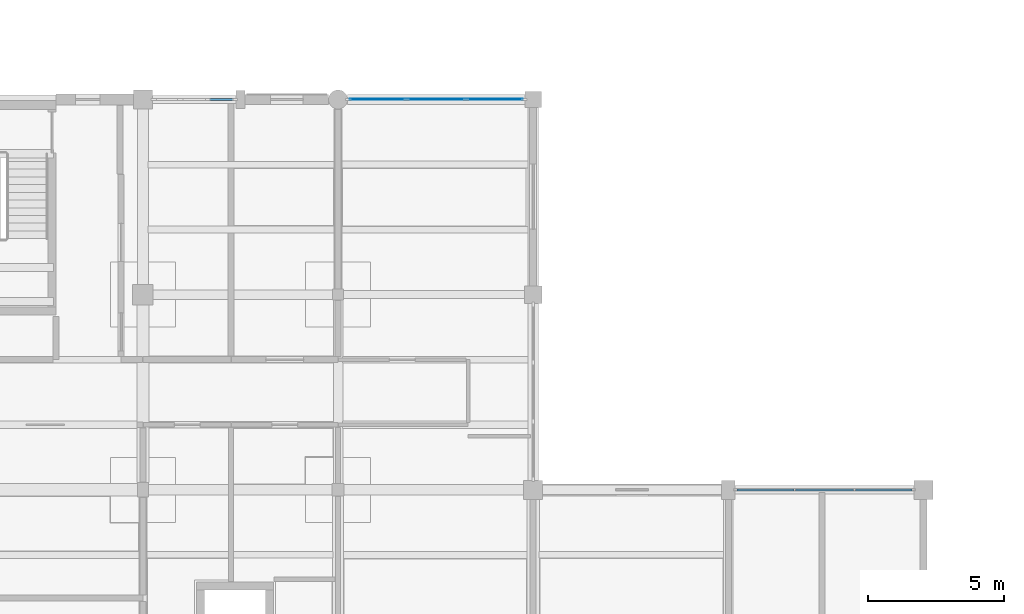
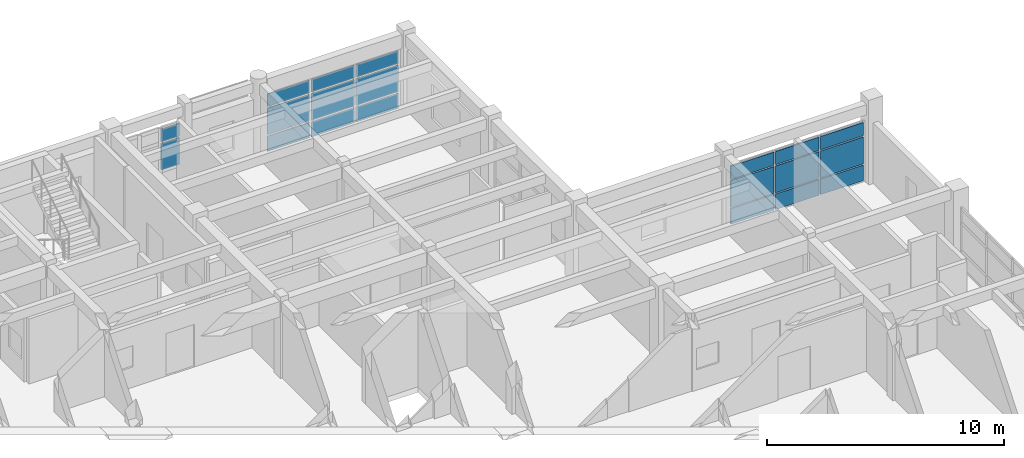
# One storey, part 71 of 110: 20 plates, 3 elements without a shape of their own.
"""IFC4 building model written with IfcOpenShell, lengths in metres."""

from ifc_helpers import new_model, si_unit, direction, frame, origin, origin_2d, place, context, subcontext, project, spatial, rectangle, extrude, material, layer, layer_set, type_object, element, aggregate, save


model = new_model("IFC4")

# Units and contexts
model_context = context("Model", 3, precision=1e-05, world=origin(), true_north=direction((0.0, 1.0)))
body_context = subcontext(model_context, "Body", "Model", "MODEL_VIEW")
ifc_project = project(units=[si_unit("LENGTHUNIT", "METRE"), si_unit("AREAUNIT", "SQUARE_METRE"), si_unit("VOLUMEUNIT", "CUBIC_METRE"), si_unit("PLANEANGLEUNIT", "RADIAN"), si_unit("MASSUNIT", "GRAM", prefix="KILO")], contexts=[model_context])

# Site, building, storey
site_placement = place(None, origin())
site = spatial("IfcSite", under=ifc_project, at=site_placement, CompositionType="ELEMENT")
building_placement = place(site_placement, origin())
building = spatial("IfcBuilding", under=site, at=building_placement, Name="Steenspoor Specialist Clinic", CompositionType="ELEMENT")
storey_placement = place(building_placement, frame((0.0, 0.0, 4.800048828125)))
storey = spatial("IfcBuildingStorey", under=building, at=storey_placement, Name="L01", CompositionType="ELEMENT", Elevation=4.800048828125)

# Curtain wall, plates
ifc_material_1 = material(Name="Thermally broken aluminium and low-emissivity glass", Category="aluminium")
curtain_wall_type_1 = type_object("IfcCurtainWallType", Name="CW-TYP-480X355", PredefinedType="USERDEFINED", material=ifc_material_1)
curtain_wall_1_placement = place(storey_placement, origin())
curtain_wall_1 = element("IfcCurtainWall", 1, at=curtain_wall_1_placement, inside=storey, type_object=curtain_wall_type_1, Name="Unitised Curtain Wall CW-V6-L01-180", ObjectType="UNITISED GLAZING", PredefinedType="USERDEFINED")
ifc_material_2 = material(Name="Double low-emissivity insulated glass", Category="glass")
ifc_layer_1 = layer(ifc_material_2, 0.035888671875)
ifc_layer_set_1 = layer_set([ifc_layer_1], Name="Double low-emissivity insulated glass")
plate_type_1 = type_object("IfcPlateType", Name="CW-PAN-GL36", PredefinedType="CURTAIN_PANEL", material=ifc_layer_set_1)
plate_1_placement = place(storey_placement, frame((141.061767578125, 108.35009765625, 0.080078125), z_axis=(0.0, 0.0, 1.0), x_axis=(1.0, 0.0, 0.0)))
plate_1 = element("IfcPlate", 2, at=plate_1_placement, type_object=plate_type_1, Name="CW-12 panel 1.1", PredefinedType="CURTAIN_PANEL", context=body_context, shape_type="SweptSolid", body=[
    extrude(rectangle(XDim=2.063232421875, YDim=0.035888671875, at=origin_2d()), origin(), (0.0, 0.0, 1.0), 0.780029296875),
])
plate_2_placement = place(storey_placement, frame((141.061767578125, 108.35009765625, 0.93994140625), z_axis=(0.0, 0.0, 1.0), x_axis=(1.0, 0.0, 0.0)))
plate_2 = element("IfcPlate", 3, at=plate_2_placement, type_object=plate_type_1, Name="CW-12 panel 1.2", PredefinedType="CURTAIN_PANEL", context=body_context, shape_type="SweptSolid", body=[
    extrude(rectangle(XDim=2.063232421875, YDim=0.035888671875, at=origin_2d()), origin(), (0.0, 0.0, 1.0), 1.3701171875),
])
plate_3_placement = place(storey_placement, frame((141.061767578125, 108.35009765625, 2.39013671875), z_axis=(0.0, 0.0, 1.0), x_axis=(1.0, 0.0, 0.0)))
plate_3 = element("IfcPlate", 4, at=plate_3_placement, type_object=plate_type_1, Name="CW-12 panel 1.3", PredefinedType="CURTAIN_PANEL", context=body_context, shape_type="SweptSolid", body=[
    extrude(rectangle(XDim=2.063232421875, YDim=0.035888671875, at=origin_2d()), origin(), (0.0, 0.0, 1.0), 0.659912109375),
])
plate_4_placement = place(storey_placement, frame((143.22509765625, 108.35009765625, 0.080078125), z_axis=(0.0, 0.0, 1.0), x_axis=(1.0, 0.0, 0.0)))
plate_4 = element("IfcPlate", 5, at=plate_4_placement, type_object=plate_type_1, Name="CW-12 panel 2.1", PredefinedType="CURTAIN_PANEL", context=body_context, shape_type="SweptSolid", body=[
    extrude(rectangle(XDim=2.103271484375, YDim=0.035888671875, at=origin_2d()), origin(), (0.0, 0.0, 1.0), 0.780029296875),
])
plate_5_placement = place(storey_placement, frame((143.22509765625, 108.35009765625, 0.93994140625), z_axis=(0.0, 0.0, 1.0), x_axis=(1.0, 0.0, 0.0)))
plate_5 = element("IfcPlate", 6, at=plate_5_placement, type_object=plate_type_1, Name="CW-12 panel 2.2", PredefinedType="CURTAIN_PANEL", context=body_context, shape_type="SweptSolid", body=[
    extrude(rectangle(XDim=2.103271484375, YDim=0.035888671875, at=origin_2d()), origin(), (0.0, 0.0, 1.0), 1.3701171875),
])
plate_6_placement = place(storey_placement, frame((143.22509765625, 108.35009765625, 2.39013671875), z_axis=(0.0, 0.0, 1.0), x_axis=(1.0, 0.0, 0.0)))
plate_6 = element("IfcPlate", 7, at=plate_6_placement, type_object=plate_type_1, Name="CW-12 panel 2.3", PredefinedType="CURTAIN_PANEL", context=body_context, shape_type="SweptSolid", body=[
    extrude(rectangle(XDim=2.103271484375, YDim=0.035888671875, at=origin_2d()), origin(), (0.0, 0.0, 1.0), 0.659912109375),
])
plate_7_placement = place(storey_placement, frame((145.388427734375, 108.35009765625, 0.080078125), z_axis=(0.0, 0.0, 1.0), x_axis=(1.0, 0.0, 0.0)))
plate_7 = element("IfcPlate", 8, at=plate_7_placement, type_object=plate_type_1, Name="CW-12 panel 3.1", PredefinedType="CURTAIN_PANEL", context=body_context, shape_type="SweptSolid", body=[
    extrude(rectangle(XDim=2.063232421875, YDim=0.035888671875, at=origin_2d()), origin(), (0.0, 0.0, 1.0), 0.780029296875),
])
plate_8_placement = place(storey_placement, frame((145.388427734375, 108.35009765625, 0.93994140625), z_axis=(0.0, 0.0, 1.0), x_axis=(1.0, 0.0, 0.0)))
plate_8 = element("IfcPlate", 9, at=plate_8_placement, type_object=plate_type_1, Name="CW-12 panel 3.2", PredefinedType="CURTAIN_PANEL", context=body_context, shape_type="SweptSolid", body=[
    extrude(rectangle(XDim=2.063232421875, YDim=0.035888671875, at=origin_2d()), origin(), (0.0, 0.0, 1.0), 1.3701171875),
])
plate_9_placement = place(storey_placement, frame((145.388427734375, 108.35009765625, 2.39013671875), z_axis=(0.0, 0.0, 1.0), x_axis=(1.0, 0.0, 0.0)))
plate_9 = element("IfcPlate", 10, at=plate_9_placement, type_object=plate_type_1, Name="CW-12 panel 3.3", PredefinedType="CURTAIN_PANEL", context=body_context, shape_type="SweptSolid", body=[
    extrude(rectangle(XDim=2.063232421875, YDim=0.035888671875, at=origin_2d()), origin(), (0.0, 0.0, 1.0), 0.659912109375),
])
aggregate(curtain_wall_1, [plate_1, plate_2, plate_3, plate_4, plate_5, plate_6, plate_7, plate_8, plate_9])

curtain_wall_type_2 = type_object("IfcCurtainWallType", Name="CW-TYP-540X355", PredefinedType="USERDEFINED", material=ifc_material_1)
curtain_wall_2_placement = place(storey_placement, origin())
curtain_wall_2 = element("IfcCurtainWall", 11, at=curtain_wall_2_placement, inside=storey, type_object=curtain_wall_type_2, Name="Unitised Curtain Wall CW-V6-L01-179", ObjectType="UNITISED GLAZING", PredefinedType="USERDEFINED")
ifc_material_3 = material(Name="Insulated glazed ceramic spandrel panel", Category="glass")
ifc_layer_2 = layer(ifc_material_3, 0.074951171875)
ifc_layer_set_2 = layer_set([ifc_layer_2], Name="Insulated glazed ceramic spandrel panel")
plate_type_2 = type_object("IfcPlateType", Name="CW-PAN-SP75", PredefinedType="CURTAIN_PANEL", material=ifc_layer_set_2)
plate_10_placement = place(storey_placement, frame((135.294189453125, 108.35009765625, 0.94482421875), z_axis=(0.0, 0.0, 1.0), x_axis=(1.0, 0.0, 0.0)))
plate_10 = element("IfcPlate", 12, at=plate_10_placement, type_object=plate_type_2, Name="CW-11 panel 3.2", PredefinedType="CURTAIN_PANEL", context=body_context, shape_type="SweptSolid", body=[
    extrude(rectangle(XDim=0.8916015625, YDim=0.074951171875, at=origin_2d()), origin(), (0.0, 0.0, 1.0), 1.360107421875),
])
plate_11_placement = place(storey_placement, frame((135.294189453125, 108.35009765625, 2.39501953125), z_axis=(0.0, 0.0, 1.0), x_axis=(1.0, 0.0, 0.0)))
plate_11 = element("IfcPlate", 13, at=plate_11_placement, type_object=plate_type_2, Name="CW-11 panel 3.3", PredefinedType="CURTAIN_PANEL", context=body_context, shape_type="SweptSolid", body=[
    extrude(rectangle(XDim=0.8916015625, YDim=0.074951171875, at=origin_2d()), origin(), (0.0, 0.0, 1.0), 0.64501953125),
])
aggregate(curtain_wall_2, [plate_10, plate_11])

curtain_wall_type_3 = type_object("IfcCurtainWallType", Name="CW-TYP-360X355", PredefinedType="USERDEFINED", material=ifc_material_1)
curtain_wall_3_placement = place(storey_placement, origin())
curtain_wall_3 = element("IfcCurtainWall", 14, at=curtain_wall_3_placement, inside=storey, type_object=curtain_wall_type_3, Name="Unitised Curtain Wall CW-V6-L01-182", ObjectType="UNITISED GLAZING", PredefinedType="USERDEFINED")
plate_12_placement = place(storey_placement, frame((155.367431640625, 93.949951171875, 0.06494140625), z_axis=(0.0, 0.0, 1.0), x_axis=(1.0, 0.0, 0.0)))
plate_12 = element("IfcPlate", 15, at=plate_12_placement, type_object=plate_type_2, Name="CW-14 panel 1.1", PredefinedType="CURTAIN_PANEL", context=body_context, shape_type="SweptSolid", body=[
    extrude(rectangle(XDim=2.094970703125, YDim=0.074951171875, at=origin_2d()), origin(), (0.0, 0.0, 1.0), 0.802490234375),
])
plate_13_placement = place(storey_placement, frame((155.367431640625, 93.949951171875, 0.9326171875), z_axis=(0.0, 0.0, 1.0), x_axis=(1.0, 0.0, 0.0)))
plate_13 = element("IfcPlate", 16, at=plate_13_placement, type_object=plate_type_2, Name="CW-14 panel 1.2", PredefinedType="CURTAIN_PANEL", context=body_context, shape_type="SweptSolid", body=[
    extrude(rectangle(XDim=2.094970703125, YDim=0.074951171875, at=origin_2d()), origin(), (0.0, 0.0, 1.0), 1.385009765625),
])
plate_14_placement = place(storey_placement, frame((155.367431640625, 93.949951171875, 2.38232421875), z_axis=(0.0, 0.0, 1.0), x_axis=(1.0, 0.0, 0.0)))
plate_14 = element("IfcPlate", 17, at=plate_14_placement, type_object=plate_type_2, Name="CW-14 panel 1.3", PredefinedType="CURTAIN_PANEL", context=body_context, shape_type="SweptSolid", body=[
    extrude(rectangle(XDim=2.094970703125, YDim=0.074951171875, at=origin_2d()), origin(), (0.0, 0.0, 1.0), 0.6826171875),
])
plate_15_placement = place(storey_placement, frame((157.550048828125, 93.949951171875, 0.06494140625), z_axis=(0.0, 0.0, 1.0), x_axis=(1.0, 0.0, 0.0)))
plate_15 = element("IfcPlate", 18, at=plate_15_placement, type_object=plate_type_2, Name="CW-14 panel 2.1", PredefinedType="CURTAIN_PANEL", context=body_context, shape_type="SweptSolid", body=[
    extrude(rectangle(XDim=2.1298828125, YDim=0.074951171875, at=origin_2d()), origin(), (0.0, 0.0, 1.0), 0.802490234375),
])
plate_16_placement = place(storey_placement, frame((157.550048828125, 93.949951171875, 0.9326171875), z_axis=(0.0, 0.0, 1.0), x_axis=(1.0, 0.0, 0.0)))
plate_16 = element("IfcPlate", 19, at=plate_16_placement, type_object=plate_type_2, Name="CW-14 panel 2.2", PredefinedType="CURTAIN_PANEL", context=body_context, shape_type="SweptSolid", body=[
    extrude(rectangle(XDim=2.1298828125, YDim=0.074951171875, at=origin_2d()), origin(), (0.0, 0.0, 1.0), 1.385009765625),
])
plate_17_placement = place(storey_placement, frame((157.550048828125, 93.949951171875, 2.38232421875), z_axis=(0.0, 0.0, 1.0), x_axis=(1.0, 0.0, 0.0)))
plate_17 = element("IfcPlate", 20, at=plate_17_placement, type_object=plate_type_2, Name="CW-14 panel 2.3", PredefinedType="CURTAIN_PANEL", context=body_context, shape_type="SweptSolid", body=[
    extrude(rectangle(XDim=2.1298828125, YDim=0.074951171875, at=origin_2d()), origin(), (0.0, 0.0, 1.0), 0.6826171875),
])
plate_18_placement = place(storey_placement, frame((159.732421875, 93.949951171875, 0.06494140625), z_axis=(0.0, 0.0, 1.0), x_axis=(1.0, 0.0, 0.0)))
plate_18 = element("IfcPlate", 21, at=plate_18_placement, type_object=plate_type_2, Name="CW-14 panel 3.1", PredefinedType="CURTAIN_PANEL", context=body_context, shape_type="SweptSolid", body=[
    extrude(rectangle(XDim=2.094970703125, YDim=0.074951171875, at=origin_2d()), origin(), (0.0, 0.0, 1.0), 0.802490234375),
])
plate_19_placement = place(storey_placement, frame((159.732421875, 93.949951171875, 0.9326171875), z_axis=(0.0, 0.0, 1.0), x_axis=(1.0, 0.0, 0.0)))
plate_19 = element("IfcPlate", 22, at=plate_19_placement, type_object=plate_type_2, Name="CW-14 panel 3.2", PredefinedType="CURTAIN_PANEL", context=body_context, shape_type="SweptSolid", body=[
    extrude(rectangle(XDim=2.094970703125, YDim=0.074951171875, at=origin_2d()), origin(), (0.0, 0.0, 1.0), 1.385009765625),
])
plate_20_placement = place(storey_placement, frame((159.732421875, 93.949951171875, 2.38232421875), z_axis=(0.0, 0.0, 1.0), x_axis=(1.0, 0.0, 0.0)))
plate_20 = element("IfcPlate", 23, at=plate_20_placement, type_object=plate_type_2, Name="CW-14 panel 3.3", PredefinedType="CURTAIN_PANEL", context=body_context, shape_type="SweptSolid", body=[
    extrude(rectangle(XDim=2.094970703125, YDim=0.074951171875, at=origin_2d()), origin(), (0.0, 0.0, 1.0), 0.6826171875),
])
aggregate(curtain_wall_3, [plate_12, plate_13, plate_14, plate_15, plate_16, plate_17, plate_18, plate_19, plate_20])

save(model, "model.ifc")
